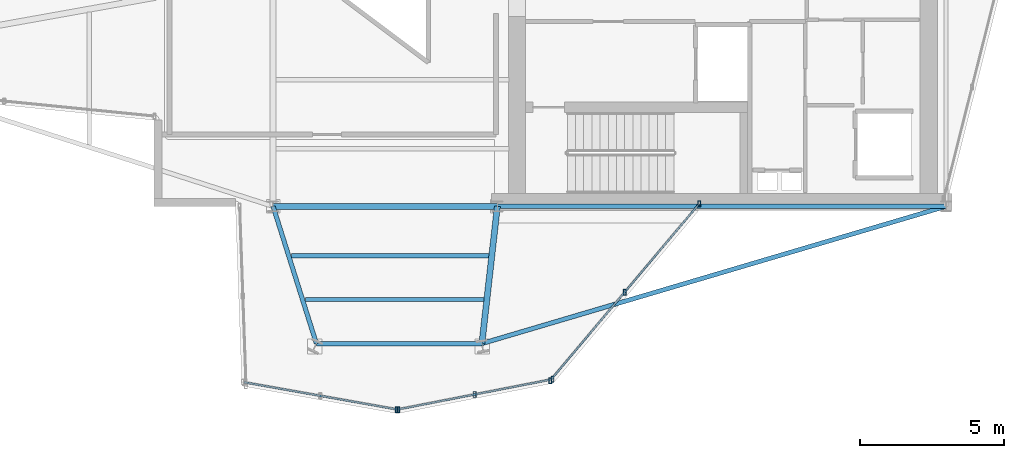
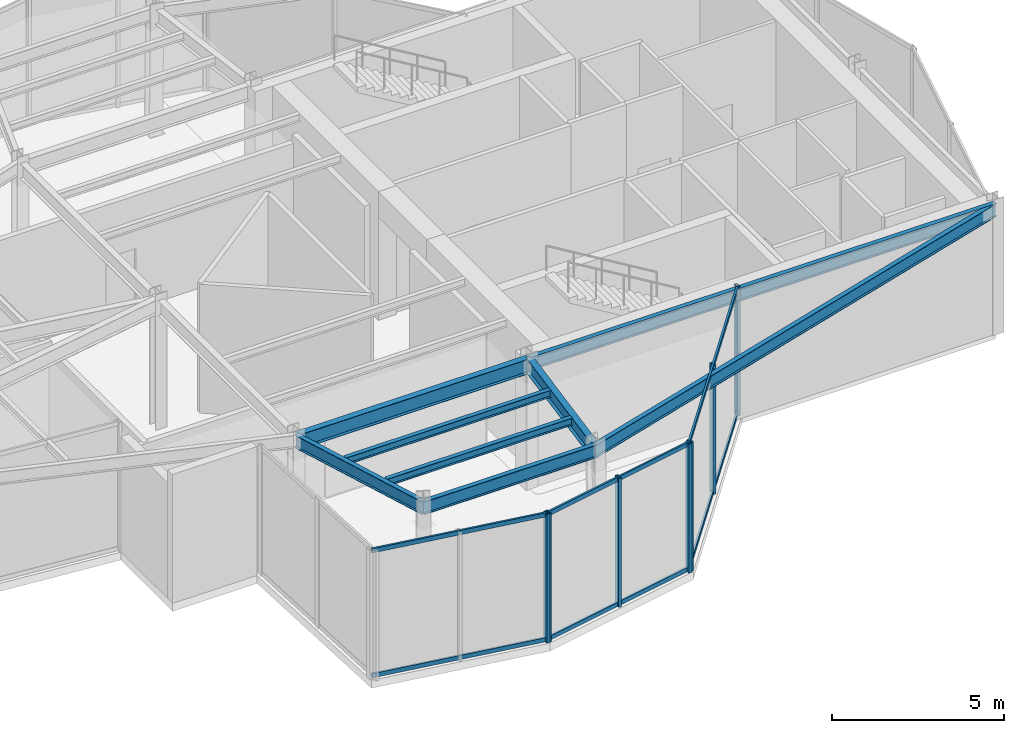
# One storey, part 3 of 15: 13 members, 8 beams, 3 elements without a shape of their own.
"""IFC4 building model written with IfcOpenShell, lengths in metres."""

from ifc_helpers import new_model, si_unit, direction, frame, origin, origin_2d, place, context, subcontext, project, spatial, hollow_rectangle, i_section, extrude, material, layer, layer_set, material_profile, profile_set, type_object, element, aggregate, save


model = new_model("IFC4")

# Units and contexts
model_context = context("Model", 3, precision=1e-05, world=origin(), true_north=direction((0.0, 1.0)))
body_context = subcontext(model_context, "Body", "Model", "MODEL_VIEW")
ifc_project = project(units=[si_unit("LENGTHUNIT", "METRE"), si_unit("AREAUNIT", "SQUARE_METRE"), si_unit("VOLUMEUNIT", "CUBIC_METRE"), si_unit("PLANEANGLEUNIT", "RADIAN"), si_unit("MASSUNIT", "GRAM", prefix="KILO")], contexts=[model_context])

# Site, building, storey
site_placement = place(None, origin())
site = spatial("IfcSite", under=ifc_project, at=site_placement, CompositionType="ELEMENT")
building_placement = place(site_placement, origin())
building = spatial("IfcBuilding", under=site, at=building_placement, Name="Veymaron Broadcast Tower", CompositionType="ELEMENT")
storey_placement = place(building_placement, frame((0.0, 0.0, 262.050048828125)))
storey = spatial("IfcBuildingStorey", under=building, at=storey_placement, Name="L61", CompositionType="ELEMENT", Elevation=262.050048828125)

# Beams
ifc_material_1 = material(Name="Structural steel ASTM A992 Gr 50", Category="steel")
ifc_material_profile_1 = material_profile(ifc_material_1, i_section(OverallWidth=0.208984375, OverallDepth=0.528076171875, WebThickness=0.009521484375, FlangeThickness=0.01318359375, at=origin_2d()), Name="W530X82")
ifc_profile_set_1 = profile_set([ifc_material_profile_1], Name="Structural steel ASTM A992 Gr 50")
beam_type_1 = type_object("IfcBeamType", Name="BM-FG4", PredefinedType="BEAM", material=ifc_profile_set_1)
beam_1_placement = place(storey_placement, frame((31.199951171875, 16.0, 4.2958984375), z_axis=(1.0, 0.0, 0.0), x_axis=(0.0, 1.0, 0.0)))
element("IfcBeam", 1, at=beam_1_placement, inside=storey, type_object=beam_type_1, Name="L61 primary structural floor girder", PredefinedType="BEAM", context=body_context, shape_type="SweptSolid", body=[
    extrude(i_section(OverallWidth=0.208984375, OverallDepth=0.528076171875, WebThickness=0.009521484375, FlangeThickness=0.01318359375, at=origin_2d()), origin(), (0.0, 0.0, 1.0), 7.800048828125),
])
beam_2_placement = place(storey_placement, frame((39.0, 16.0, 4.2958984375), z_axis=(-0.112049553621, -0.993702620271, 0.0), x_axis=(0.993702620271, -0.112049553621, 0.0)))
element("IfcBeam", 2, at=beam_2_placement, inside=storey, type_object=beam_type_1, Name="L61 primary structural floor girder", PredefinedType="BEAM", context=body_context, shape_type="SweptSolid", body=[
    extrude(i_section(OverallWidth=0.208984375, OverallDepth=0.528076171875, WebThickness=0.009521484375, FlangeThickness=0.01318359375, at=origin_2d()), origin(), (0.0, 0.0, 1.0), 4.80224609375),
])
ifc_material_profile_2 = material_profile(ifc_material_1, i_section(OverallWidth=0.14599609375, OverallDepth=0.258056640625, WebThickness=0.006103515625, FlangeThickness=0.009033203125, at=origin_2d()), Name="W250X33")
ifc_profile_set_2 = profile_set([ifc_material_profile_2], Name="Structural steel ASTM A992 Gr 50")
beam_type_2 = type_object("IfcBeamType", Name="BM-JS4", PredefinedType="JOIST", material=ifc_profile_set_2)
beam_3_placement = place(storey_placement, frame((31.84228515625, 14.281982421875, 4.430908203125), z_axis=(1.0, 0.0, 0.0), x_axis=(0.0, 1.0, 0.0)))
element("IfcBeam", 3, at=beam_3_placement, inside=storey, type_object=beam_type_2, Name="L61 Arm-C secondary joist 1", PredefinedType="JOIST", context=body_context, shape_type="SweptSolid", body=[
    extrude(i_section(OverallWidth=0.14599609375, OverallDepth=0.258056640625, WebThickness=0.006103515625, FlangeThickness=0.009033203125, at=origin_2d()), origin(), (0.0, 0.0, 1.0), 6.864013671875),
])
beam_4_placement = place(storey_placement, frame((32.324462890625, 12.7548828125, 4.430908203125), z_axis=(1.0, 0.0, 0.0), x_axis=(0.0, 1.0, 0.0)))
element("IfcBeam", 4, at=beam_4_placement, inside=storey, type_object=beam_type_2, Name="L61 Arm-C secondary joist 2", PredefinedType="JOIST", context=body_context, shape_type="SweptSolid", body=[
    extrude(i_section(OverallWidth=0.14599609375, OverallDepth=0.258056640625, WebThickness=0.006103515625, FlangeThickness=0.009033203125, at=origin_2d()), origin(), (0.0, 0.0, 1.0), 6.209716796875),
])
ifc_material_profile_3 = material_profile(ifc_material_1, i_section(OverallWidth=0.154052734375, OverallDepth=0.458984375, WebThickness=0.009033203125, FlangeThickness=0.015380859375, at=origin_2d()), Name="W460X68")
ifc_profile_set_3 = profile_set([ifc_material_profile_3], Name="Structural steel ASTM A992 Gr 50")
beam_type_3 = type_object("IfcBeamType", Name="BM-SP2", PredefinedType="SPANDREL", material=ifc_profile_set_3)
beam_5_placement = place(storey_placement, frame((39.0, 16.0, 4.33056640625), z_axis=(1.0, 0.0, 0.0), x_axis=(0.0, 1.0, 0.0)))
element("IfcBeam", 5, at=beam_5_placement, inside=storey, type_object=beam_type_3, Name="L61 primary structural floor girder", PredefinedType="SPANDREL", context=body_context, shape_type="SweptSolid", body=[
    extrude(i_section(OverallWidth=0.154052734375, OverallDepth=0.458984375, WebThickness=0.009033203125, FlangeThickness=0.015380859375, at=origin_2d()), origin(), (0.0, 0.0, 1.0), 15.60009765625),
])
beam_6_placement = place(storey_placement, frame((31.199951171875, 16.0, 4.33056640625), z_axis=(0.301023957979, -0.953616577416, 0.0), x_axis=(0.953616577416, 0.301023957979, 0.0)))
element("IfcBeam", 6, at=beam_6_placement, inside=storey, type_object=beam_type_3, Name="L61 primary structural floor girder", PredefinedType="SPANDREL", context=body_context, shape_type="SweptSolid", body=[
    extrude(i_section(OverallWidth=0.154052734375, OverallDepth=0.458984375, WebThickness=0.009033203125, FlangeThickness=0.015380859375, at=origin_2d()), origin(), (0.0, 0.0, 1.0), 5.004150390625),
])
beam_7_placement = place(storey_placement, frame((54.60009765625, 16.0, 4.33056640625), z_axis=(-0.958955148663, -0.283557794556, 0.0), x_axis=(0.283557794556, -0.958955148663, 0.0)))
element("IfcBeam", 7, at=beam_7_placement, inside=storey, type_object=beam_type_3, Name="L61 primary structural floor girder", PredefinedType="SPANDREL", context=body_context, shape_type="SweptSolid", body=[
    extrude(i_section(OverallWidth=0.154052734375, OverallDepth=0.458984375, WebThickness=0.009033203125, FlangeThickness=0.015380859375, at=origin_2d()), origin(), (0.0, 0.0, 1.0), 16.828857421875),
])
beam_8_placement = place(storey_placement, frame((32.706298828125, 11.22802734375, 4.33056640625), z_axis=(1.0, 0.0, 0.0), x_axis=(0.0, 1.0, 0.0)))
element("IfcBeam", 8, at=beam_8_placement, inside=storey, type_object=beam_type_3, Name="L61 primary structural floor girder", PredefinedType="SPANDREL", context=body_context, shape_type="SweptSolid", body=[
    extrude(i_section(OverallWidth=0.154052734375, OverallDepth=0.458984375, WebThickness=0.009033203125, FlangeThickness=0.015380859375, at=origin_2d()), origin(), (0.0, 0.0, 1.0), 5.755615234375),
])

# Curtain wall, member
ifc_material_2 = material(Name="Anodised aluminium AA 6063-T6 and laminated low-E dark glass", Category="aluminium")
ifc_layer = layer(ifc_material_2, 0.179931640625)
ifc_layer_set = layer_set([ifc_layer], Name="Anodised aluminium AA 6063-T6 and laminated low-E dark glass")
curtain_wall_type = type_object("IfcCurtainWallType", Name="CW-SYS-04", PredefinedType="NOTDEFINED", material=ifc_layer_set)
curtain_wall_1_placement = place(storey_placement, origin())
curtain_wall_1 = element("IfcCurtainWall", 9, at=curtain_wall_1_placement, inside=storey, type_object=curtain_wall_type, Name="L61 dark-glass curtain wall CW-L61-E18-1", PredefinedType="NOTDEFINED")
ifc_material_3 = material(Name="Anodised aluminium AA 6063-T6", Category="aluminium")
ifc_material_profile_4 = material_profile(ifc_material_3, hollow_rectangle(XDim=0.10009765625, YDim=0.199951171875, WallThickness=0.010009765625, at=origin_2d()), Name="RHS200X100X10")
ifc_profile_set_4 = profile_set([ifc_material_profile_4], Name="Anodised aluminium AA 6063-T6")
member_type_1 = type_object("IfcMemberType", Name="CW-MUL-01", PredefinedType="MULLION", material=ifc_profile_set_4)
member_1_placement = place(storey_placement, frame((35.552490234375, 8.9296875, 0.0), z_axis=(0.0, 0.0, 1.0), x_axis=(1.0, 0.0, 0.0)))
member_1 = element("IfcMember", 10, at=member_1_placement, type_object=member_type_1, Name="CW-L61-E18-1 mullion 2", PredefinedType="MULLION", context=body_context, shape_type="SweptSolid", body=[
    extrude(hollow_rectangle(XDim=0.10009765625, YDim=0.199951171875, WallThickness=0.010009765625, at=origin_2d()), origin(), (0.0, 0.0, 1.0), 4.56005859375),
])

# Curtain wall, members
curtain_wall_2_placement = place(storey_placement, origin())
curtain_wall_2 = element("IfcCurtainWall", 11, at=curtain_wall_2_placement, inside=storey, type_object=curtain_wall_type, Name="L61 dark-glass curtain wall CW-L61-E19-1", PredefinedType="NOTDEFINED")
member_2_placement = place(storey_placement, frame((35.501220703125, 8.929443359375, 0.0), z_axis=(0.0, 0.0, 1.0), x_axis=(1.0, 0.0, 0.0)))
member_2 = element("IfcMember", 12, at=member_2_placement, type_object=member_type_1, Name="CW-L61-E19-1 mullion 0", PredefinedType="MULLION", context=body_context, shape_type="SweptSolid", body=[
    extrude(hollow_rectangle(XDim=0.10009765625, YDim=0.199951171875, WallThickness=0.010009765625, at=origin_2d()), origin(), (0.0, 0.0, 1.0), 4.56005859375),
])
member_3_placement = place(storey_placement, frame((38.2080078125, 9.45751953125, 0.0), z_axis=(0.0, 0.0, 1.0), x_axis=(1.0, 0.0, 0.0)))
member_3 = element("IfcMember", 13, at=member_3_placement, type_object=member_type_1, Name="CW-L61-E19-1 mullion 1", PredefinedType="MULLION", context=body_context, shape_type="SweptSolid", body=[
    extrude(hollow_rectangle(XDim=0.10009765625, YDim=0.199951171875, WallThickness=0.010009765625, at=origin_2d()), origin(), (0.0, 0.0, 1.0), 4.56005859375),
])
member_4_placement = place(storey_placement, frame((40.9150390625, 9.9853515625, 0.0), z_axis=(0.0, 0.0, 1.0), x_axis=(1.0, 0.0, 0.0)))
member_4 = element("IfcMember", 14, at=member_4_placement, type_object=member_type_1, Name="CW-L61-E19-1 mullion 2", PredefinedType="MULLION", context=body_context, shape_type="SweptSolid", body=[
    extrude(hollow_rectangle(XDim=0.10009765625, YDim=0.199951171875, WallThickness=0.010009765625, at=origin_2d()), origin(), (0.0, 0.0, 1.0), 4.56005859375),
])

curtain_wall_3_placement = place(storey_placement, origin())
curtain_wall_3 = element("IfcCurtainWall", 15, at=curtain_wall_3_placement, inside=storey, type_object=curtain_wall_type, Name="L61 dark-glass curtain wall CW-L61-E20-1", PredefinedType="NOTDEFINED")
member_5_placement = place(storey_placement, frame((40.834716796875, 9.938232421875, 0.0), z_axis=(0.0, 0.0, 1.0), x_axis=(1.0, 0.0, 0.0)))
member_5 = element("IfcMember", 16, at=member_5_placement, type_object=member_type_1, Name="CW-L61-E20-1 mullion 0", PredefinedType="MULLION", context=body_context, shape_type="SweptSolid", body=[
    extrude(hollow_rectangle(XDim=0.10009765625, YDim=0.199951171875, WallThickness=0.010009765625, at=origin_2d()), origin(), (0.0, 0.0, 1.0), 4.56005859375),
])
member_6_placement = place(storey_placement, frame((43.4267578125, 13.01416015625, 0.0), z_axis=(0.0, 0.0, 1.0), x_axis=(1.0, 0.0, 0.0)))
member_6 = element("IfcMember", 17, at=member_6_placement, type_object=member_type_1, Name="CW-L61-E20-1 mullion 1", PredefinedType="MULLION", context=body_context, shape_type="SweptSolid", body=[
    extrude(hollow_rectangle(XDim=0.10009765625, YDim=0.199951171875, WallThickness=0.010009765625, at=origin_2d()), origin(), (0.0, 0.0, 1.0), 4.56005859375),
])
member_7_placement = place(storey_placement, frame((46.018798828125, 16.090087890625, 0.0), z_axis=(0.0, 0.0, 1.0), x_axis=(1.0, 0.0, 0.0)))
member_7 = element("IfcMember", 18, at=member_7_placement, type_object=member_type_1, Name="CW-L61-E20-1 mullion 2", PredefinedType="MULLION", context=body_context, shape_type="SweptSolid", body=[
    extrude(hollow_rectangle(XDim=0.10009765625, YDim=0.199951171875, WallThickness=0.010009765625, at=origin_2d()), origin(), (0.0, 0.0, 1.0), 4.56005859375),
])

# Member
ifc_material_profile_5 = material_profile(ifc_material_3, hollow_rectangle(XDim=0.06494140625, YDim=0.14990234375, WallThickness=0.00390625, at=origin_2d()), Name="AL150X65X4")
ifc_profile_set_5 = profile_set([ifc_material_profile_5], Name="Anodised aluminium AA 6063-T6")
member_type_2 = type_object("IfcMemberType", Name="CW-TRN-01", PredefinedType="USERDEFINED", material=ifc_profile_set_5)
member_8_placement = place(storey_placement, frame((30.187744140625, 9.881103515625, 0.070068359375), z_axis=(0.984637064275, -0.174613434924, 0.0), x_axis=(0.174613434924, 0.984637064275, 0.0)))
member_8 = element("IfcMember", 19, at=member_8_placement, type_object=member_type_2, Name="CW-L61-E18-1 transom B", ObjectType="TRANSOM", PredefinedType="USERDEFINED", context=body_context, shape_type="SweptSolid", body=[
    extrude(hollow_rectangle(XDim=0.06494140625, YDim=0.14990234375, WallThickness=0.00390625, at=origin_2d()), origin(), (0.0, 0.0, 1.0), 5.3984375),
])

member_9_placement = place(storey_placement, frame((30.187744140625, 9.881103515625, 4.489990234375), z_axis=(0.984637064275, -0.174613434924, 0.0), x_axis=(0.174613434924, 0.984637064275, 0.0)))
member_9 = element("IfcMember", 20, at=member_9_placement, type_object=member_type_2, Name="CW-L61-E18-1 transom T", ObjectType="TRANSOM", PredefinedType="USERDEFINED", context=body_context, shape_type="SweptSolid", body=[
    extrude(hollow_rectangle(XDim=0.06494140625, YDim=0.14990234375, WallThickness=0.00390625, at=origin_2d()), origin(), (0.0, 0.0, 1.0), 5.3984375),
])

aggregate(curtain_wall_1, [member_1, member_8, member_9])

member_10_placement = place(storey_placement, frame((35.55029296875, 8.93896484375, 0.070068359375), z_axis=(0.981502370093, 0.191449986946, 0.0), x_axis=(-0.191449986946, 0.981502370093, 0.0)))
member_10 = element("IfcMember", 21, at=member_10_placement, type_object=member_type_2, Name="CW-L61-E19-1 transom B", ObjectType="TRANSOM", PredefinedType="USERDEFINED", context=body_context, shape_type="SweptSolid", body=[
    extrude(hollow_rectangle(XDim=0.06494140625, YDim=0.14990234375, WallThickness=0.00390625, at=origin_2d()), origin(), (0.0, 0.0, 1.0), 5.415771484375),
])

member_11_placement = place(storey_placement, frame((35.55029296875, 8.93896484375, 4.489990234375), z_axis=(0.981502370093, 0.191449986946, 0.0), x_axis=(-0.191449986946, 0.981502370093, 0.0)))
member_11 = element("IfcMember", 22, at=member_11_placement, type_object=member_type_2, Name="CW-L61-E19-1 transom T", ObjectType="TRANSOM", PredefinedType="USERDEFINED", context=body_context, shape_type="SweptSolid", body=[
    extrude(hollow_rectangle(XDim=0.06494140625, YDim=0.14990234375, WallThickness=0.00390625, at=origin_2d()), origin(), (0.0, 0.0, 1.0), 5.415771484375),
])

aggregate(curtain_wall_2, [member_2, member_3, member_4, member_10, member_11])

member_12_placement = place(storey_placement, frame((40.866943359375, 9.976318359375, 0.070068359375), z_axis=(0.644376063428, 0.764708760824, 0.0), x_axis=(-0.764708760824, 0.644376063428, 0.0)))
member_12 = element("IfcMember", 23, at=member_12_placement, type_object=member_type_2, Name="CW-L61-E20-1 transom B", ObjectType="TRANSOM", PredefinedType="USERDEFINED", context=body_context, shape_type="SweptSolid", body=[
    extrude(hollow_rectangle(XDim=0.06494140625, YDim=0.14990234375, WallThickness=0.00390625, at=origin_2d()), origin(), (0.0, 0.0, 1.0), 7.945068359375),
])

member_13_placement = place(storey_placement, frame((40.866943359375, 9.976318359375, 4.489990234375), z_axis=(0.644376063428, 0.764708760824, 0.0), x_axis=(-0.764708760824, 0.644376063428, 0.0)))
member_13 = element("IfcMember", 24, at=member_13_placement, type_object=member_type_2, Name="CW-L61-E20-1 transom T", ObjectType="TRANSOM", PredefinedType="USERDEFINED", context=body_context, shape_type="SweptSolid", body=[
    extrude(hollow_rectangle(XDim=0.06494140625, YDim=0.14990234375, WallThickness=0.00390625, at=origin_2d()), origin(), (0.0, 0.0, 1.0), 7.945068359375),
])

aggregate(curtain_wall_3, [member_5, member_6, member_7, member_12, member_13])

save(model, "model.ifc")
